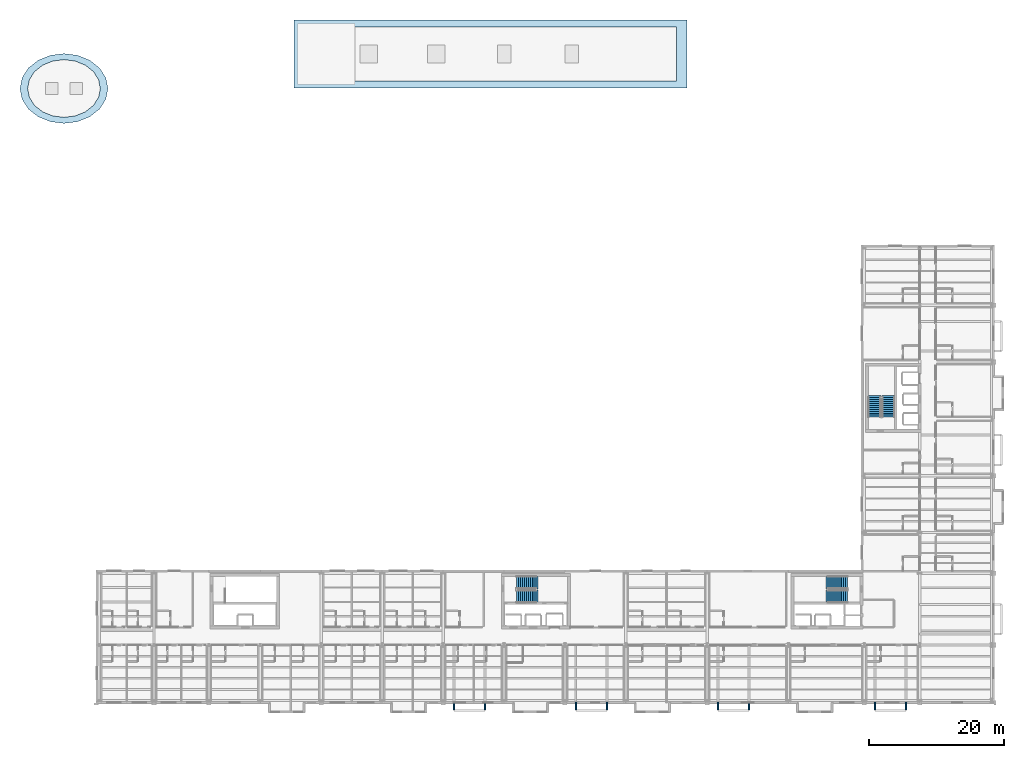
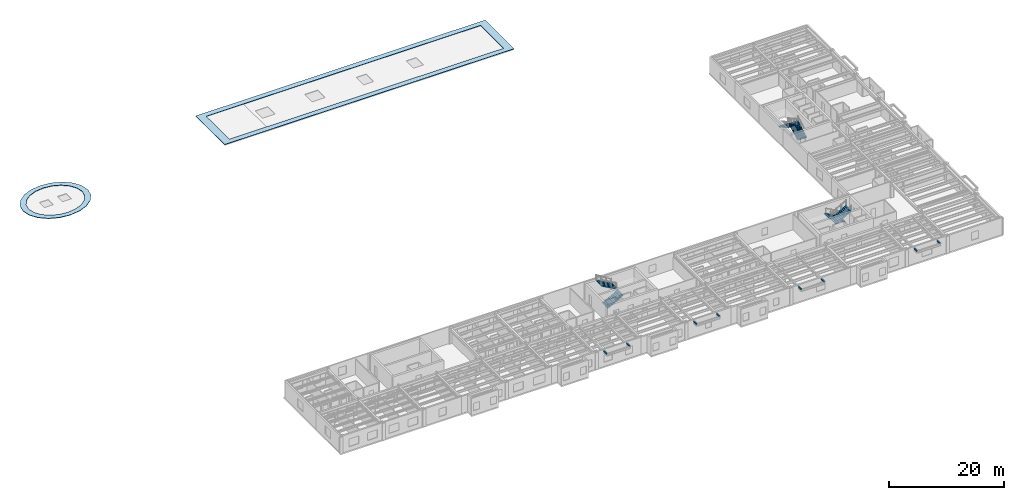
# One storey, part 23 of 27: 8 discrete accessories, 6 stair flights, 2 roofs, 3 elements without a shape of their own.
"""IFC4 building model written with IfcOpenShell, lengths in metres."""

from ifc_helpers import new_model, si_unit, direction, frame, origin, origin_2d, place, context, subcontext, project, spatial, polyline, rectangle, outline, extrude, material, layer, layer_set, type_object, element, aggregate, save


model = new_model("IFC4")

# Units and contexts
model_context = context("Model", 3, precision=1e-05, world=origin(), true_north=direction((0.0, 1.0)))
body_context = subcontext(model_context, "Body", "Model", "MODEL_VIEW")
ifc_project = project(units=[si_unit("LENGTHUNIT", "METRE"), si_unit("AREAUNIT", "SQUARE_METRE"), si_unit("VOLUMEUNIT", "CUBIC_METRE"), si_unit("PLANEANGLEUNIT", "RADIAN"), si_unit("MASSUNIT", "GRAM", prefix="KILO")], contexts=[model_context])

# Site, building, storey
site_placement = place(None, origin())
site = spatial("IfcSite", under=ifc_project, at=site_placement, CompositionType="ELEMENT")
building_placement = place(site_placement, origin())
building = spatial("IfcBuilding", under=site, at=building_placement, Name="Sollismere Congress Hotel", CompositionType="ELEMENT")
storey_placement = place(building_placement, frame((0.0, 0.0, 27.0)))
storey = spatial("IfcBuildingStorey", under=building, at=storey_placement, Name="L06", CompositionType="ELEMENT", Elevation=27.0)

# Stair, stair flights
ifc_material_1 = material(Name="Concrete C40/50", Category="concrete")
stair_type = type_object("IfcStairType", Name="STR-DL-360", PredefinedType="HALF_TURN_STAIR", material=ifc_material_1)
stair_1_placement = place(storey_placement, origin())
stair_1 = element("IfcStair", 1, at=stair_1_placement, inside=storey, type_object=stair_type, Name="Protected exit stair ST-01-L06", PredefinedType="HALF_TURN_STAIR")
stair_flight_type = type_object("IfcStairFlightType", Name="STF-DL-360", PredefinedType="STRAIGHT", material=ifc_material_1)
stair_flight_1_placement = place(storey_placement, frame((144.75, 17.425048828125, 0.0), z_axis=(0.0, 0.0, 1.0), x_axis=(-1.0, 0.0, 0.0)))
stair_flight_1 = element("IfcStairFlight", 2, at=stair_flight_1_placement, type_object=stair_flight_type, Name="Exit stair flight ST-01-L06-F1", NumberOfRisers=11, NumberOfTreads=11, PredefinedType="STRAIGHT", RiserHeight=0.16357421875, TreadLength=0.2900390625, context=body_context, shape_type="SweptSolid", body=[
    extrude(outline(polyline([(0.0, 0.0), (0.0, 0.16357421875), (0.2900390625, 0.16357421875), (0.2900390625, 0.3271484375), (0.580078125, 0.3271484375), (0.580078125, 0.49072265625), (0.8701171875, 0.49072265625), (0.8701171875, 0.654296875), (1.16015625, 0.654296875), (1.16015625, 0.81787109375), (1.4501953125, 0.81787109375), (1.4501953125, 0.9814453125), (1.740234375, 0.9814453125), (1.740234375, 1.14501953125), (2.0302734375, 1.14501953125), (2.0302734375, 1.30859375), (2.3203125, 1.30859375), (2.3203125, 1.47216796875), (2.6103515625, 1.47216796875), (2.6103515625, 1.6357421875), (2.900390625, 1.6357421875), (2.900390625, 1.79931640625), (3.1904296875, 1.79931640625), (3.1904296875, 1.61572265625), (0.325439453125, 0.0), (0.0, 0.0)])), frame((0.0, 0.925048828125, 0.0), z_axis=(0.0, -1.0, 0.0), x_axis=(1.0, 0.0, 0.0)), (0.0, 0.0, 1.0), 1.85009765625),
])
stair_flight_2_placement = place(storey_placement, frame((141.56005859375, 15.375, 1.800048828125), z_axis=(0.0, 0.0, 1.0), x_axis=(1.0, 0.0, 0.0)))
stair_flight_2 = element("IfcStairFlight", 3, at=stair_flight_2_placement, type_object=stair_flight_type, Name="Exit stair flight ST-01-L06-F2", NumberOfRisers=11, NumberOfTreads=11, PredefinedType="STRAIGHT", RiserHeight=0.16357421875, TreadLength=0.2900390625, context=body_context, shape_type="SweptSolid", body=[
    extrude(outline(polyline([(0.0, 0.0), (0.0, 0.16357421875), (0.2900390625, 0.16357421875), (0.2900390625, 0.3271484375), (0.580078125, 0.3271484375), (0.580078125, 0.49072265625), (0.8701171875, 0.49072265625), (0.8701171875, 0.654296875), (1.16015625, 0.654296875), (1.16015625, 0.81787109375), (1.4501953125, 0.81787109375), (1.4501953125, 0.9814453125), (1.740234375, 0.9814453125), (1.740234375, 1.14501953125), (2.0302734375, 1.14501953125), (2.0302734375, 1.30859375), (2.3203125, 1.30859375), (2.3203125, 1.47216796875), (2.6103515625, 1.47216796875), (2.6103515625, 1.6357421875), (2.900390625, 1.6357421875), (2.900390625, 1.79931640625), (3.1904296875, 1.79931640625), (3.1904296875, 1.61572265625), (0.325439453125, 0.0), (0.0, 0.0)])), frame((0.0, 0.925048828125, 0.0), z_axis=(0.0, -1.0, 0.0), x_axis=(1.0, 0.0, 0.0)), (0.0, 0.0, 1.0), 1.85009765625),
])
aggregate(stair_1, [stair_flight_1, stair_flight_2])

stair_2_placement = place(storey_placement, origin())
stair_2 = element("IfcStair", 4, at=stair_2_placement, inside=storey, type_object=stair_type, Name="Protected exit stair ST-02-L06", PredefinedType="HALF_TURN_STAIR")
stair_flight_3_placement = place(storey_placement, frame((95.85009765625, 15.375, 0.0), z_axis=(0.0, 0.0, 1.0), x_axis=(1.0, 0.0, 0.0)))
stair_flight_3 = element("IfcStairFlight", 5, at=stair_flight_3_placement, type_object=stair_flight_type, Name="Exit stair flight ST-02-L06-F1", NumberOfRisers=11, NumberOfTreads=11, PredefinedType="STRAIGHT", RiserHeight=0.16357421875, TreadLength=0.2900390625, context=body_context, shape_type="SweptSolid", body=[
    extrude(outline(polyline([(0.0, 0.0), (0.0, 0.16357421875), (0.2900390625, 0.16357421875), (0.2900390625, 0.3271484375), (0.580078125, 0.3271484375), (0.580078125, 0.49072265625), (0.8701171875, 0.49072265625), (0.8701171875, 0.654296875), (1.16015625, 0.654296875), (1.16015625, 0.81787109375), (1.4501953125, 0.81787109375), (1.4501953125, 0.9814453125), (1.740234375, 0.9814453125), (1.740234375, 1.14501953125), (2.0302734375, 1.14501953125), (2.0302734375, 1.30859375), (2.3203125, 1.30859375), (2.3203125, 1.47216796875), (2.6103515625, 1.47216796875), (2.6103515625, 1.6357421875), (2.900390625, 1.6357421875), (2.900390625, 1.79931640625), (3.1904296875, 1.79931640625), (3.1904296875, 1.61572265625), (0.325439453125, 0.0), (0.0, 0.0)])), frame((0.0, 0.925048828125, 0.0), z_axis=(0.0, -1.0, 0.0), x_axis=(1.0, 0.0, 0.0)), (0.0, 0.0, 1.0), 1.85009765625),
])
stair_flight_4_placement = place(storey_placement, frame((99.0400390625, 17.425048828125, 1.800048828125), z_axis=(0.0, 0.0, 1.0), x_axis=(-1.0, 0.0, 0.0)))
stair_flight_4 = element("IfcStairFlight", 6, at=stair_flight_4_placement, type_object=stair_flight_type, Name="Exit stair flight ST-02-L06-F2", NumberOfRisers=11, NumberOfTreads=11, PredefinedType="STRAIGHT", RiserHeight=0.16357421875, TreadLength=0.2900390625, context=body_context, shape_type="SweptSolid", body=[
    extrude(outline(polyline([(0.0, 0.0), (0.0, 0.16357421875), (0.2900390625, 0.16357421875), (0.2900390625, 0.3271484375), (0.580078125, 0.3271484375), (0.580078125, 0.49072265625), (0.8701171875, 0.49072265625), (0.8701171875, 0.654296875), (1.16015625, 0.654296875), (1.16015625, 0.81787109375), (1.4501953125, 0.81787109375), (1.4501953125, 0.9814453125), (1.740234375, 0.9814453125), (1.740234375, 1.14501953125), (2.0302734375, 1.14501953125), (2.0302734375, 1.30859375), (2.3203125, 1.30859375), (2.3203125, 1.47216796875), (2.6103515625, 1.47216796875), (2.6103515625, 1.6357421875), (2.900390625, 1.6357421875), (2.900390625, 1.79931640625), (3.1904296875, 1.79931640625), (3.1904296875, 1.61572265625), (0.325439453125, 0.0), (0.0, 0.0)])), frame((0.0, 0.925048828125, 0.0), z_axis=(0.0, -1.0, 0.0), x_axis=(1.0, 0.0, 0.0)), (0.0, 0.0, 1.0), 1.85009765625),
])
aggregate(stair_2, [stair_flight_3, stair_flight_4])

stair_3_placement = place(storey_placement, origin())
stair_3 = element("IfcStair", 7, at=stair_3_placement, inside=storey, type_object=stair_type, Name="Protected exit stair ST-03-L06", PredefinedType="HALF_TURN_STAIR")
stair_flight_5_placement = place(storey_placement, frame((150.77490234375, 41.85009765625, 0.0), z_axis=(0.0, 0.0, 1.0), x_axis=(0.0, 1.0, 0.0)))
stair_flight_5 = element("IfcStairFlight", 8, at=stair_flight_5_placement, type_object=stair_flight_type, Name="Exit stair flight ST-03-L06-F1", NumberOfRisers=11, NumberOfTreads=11, PredefinedType="STRAIGHT", RiserHeight=0.16357421875, TreadLength=0.2900390625, context=body_context, shape_type="SweptSolid", body=[
    extrude(outline(polyline([(0.0, 0.0), (0.0, 0.16357421875), (0.2900390625, 0.16357421875), (0.2900390625, 0.3271484375), (0.580078125, 0.3271484375), (0.580078125, 0.49072265625), (0.8701171875, 0.49072265625), (0.8701171875, 0.654296875), (1.16015625, 0.654296875), (1.16015625, 0.81787109375), (1.4501953125, 0.81787109375), (1.4501953125, 0.9814453125), (1.740234375, 0.9814453125), (1.740234375, 1.14501953125), (2.0302734375, 1.14501953125), (2.0302734375, 1.30859375), (2.3203125, 1.30859375), (2.3203125, 1.47216796875), (2.6103515625, 1.47216796875), (2.6103515625, 1.6357421875), (2.900390625, 1.6357421875), (2.900390625, 1.79931640625), (3.1904296875, 1.79931640625), (3.1904296875, 1.61572265625), (0.325439453125, 0.0), (0.0, 0.0)])), frame((0.0, 0.925048828125, 0.0), z_axis=(0.0, -1.0, 0.0), x_axis=(1.0, 0.0, 0.0)), (0.0, 0.0, 1.0), 1.85009765625),
])
stair_flight_6_placement = place(storey_placement, frame((148.72509765625, 45.0400390625, 1.800048828125), z_axis=(0.0, 0.0, 1.0), x_axis=(0.0, -1.0, 0.0)))
stair_flight_6 = element("IfcStairFlight", 9, at=stair_flight_6_placement, type_object=stair_flight_type, Name="Exit stair flight ST-03-L06-F2", NumberOfRisers=11, NumberOfTreads=11, PredefinedType="STRAIGHT", RiserHeight=0.16357421875, TreadLength=0.2900390625, context=body_context, shape_type="SweptSolid", body=[
    extrude(outline(polyline([(0.0, 0.0), (0.0, 0.16357421875), (0.2900390625, 0.16357421875), (0.2900390625, 0.3271484375), (0.580078125, 0.3271484375), (0.580078125, 0.49072265625), (0.8701171875, 0.49072265625), (0.8701171875, 0.654296875), (1.16015625, 0.654296875), (1.16015625, 0.81787109375), (1.4501953125, 0.81787109375), (1.4501953125, 0.9814453125), (1.740234375, 0.9814453125), (1.740234375, 1.14501953125), (2.0302734375, 1.14501953125), (2.0302734375, 1.30859375), (2.3203125, 1.30859375), (2.3203125, 1.47216796875), (2.6103515625, 1.47216796875), (2.6103515625, 1.6357421875), (2.900390625, 1.6357421875), (2.900390625, 1.79931640625), (3.1904296875, 1.79931640625), (3.1904296875, 1.61572265625), (0.325439453125, 0.0), (0.0, 0.0)])), frame((0.0, 0.925048828125, 0.0), z_axis=(0.0, -1.0, 0.0), x_axis=(1.0, 0.0, 0.0)), (0.0, 0.0, 1.0), 1.85009765625),
])
aggregate(stair_3, [stair_flight_5, stair_flight_6])

# Roofs
ifc_material_2 = material(Name="Standing-Seam Zinc-Titanium Roofing")
ifc_layer_1 = layer(ifc_material_2, 0.080078125, Name="Standing-Seam Zinc-Titanium Roofing")
ifc_layer_set_1 = layer_set([ifc_layer_1], Name="Standing-Seam Zinc-Titanium Roofing")
roof_type_1 = type_object("IfcRoofType", Name="RF-DOME", PredefinedType="DOME_ROOF", material=ifc_layer_set_1)
roof_1_placement = place(storey_placement, frame((0.0, 0.0, 0.199951171875)))
element("IfcRoof", 10, at=roof_1_placement, inside=storey, type_object=roof_type_1, Name="Congress Hall Elliptical Ribbed Dome Roof", PredefinedType="DOME_ROOF", context=body_context, shape_type="SweptSolid", body=[
    extrude(outline(polyline([(35.49609375, 90.39990234375), (35.177978515625, 91.9921875), (34.25537109375, 93.42822265625), (32.818115234375, 94.568115234375), (31.00732421875, 95.2998046875), (29.0, 95.552001953125), (26.99267578125, 95.2998046875), (25.181884765625, 94.568115234375), (23.74462890625, 93.42822265625), (22.822021484375, 91.9921875), (22.50390625, 90.39990234375), (22.822021484375, 88.807861328125), (23.74462890625, 87.37158203125), (25.181884765625, 86.23193359375), (26.99267578125, 85.500244140625), (29.0, 85.248046875), (31.00732421875, 85.500244140625), (32.818115234375, 86.23193359375), (34.25537109375, 87.37158203125), (35.177978515625, 88.807861328125), (35.49609375, 90.39990234375)]), holes=[polyline([(34.1025390625, 89.085205078125), (33.34033203125, 87.89892578125), (32.153564453125, 86.95751953125), (30.657958984375, 86.353271484375), (29.0, 86.14501953125), (27.342041015625, 86.353271484375), (25.846435546875, 86.95751953125), (24.65966796875, 87.89892578125), (23.8974609375, 89.085205078125), (23.635009765625, 90.39990234375), (23.8974609375, 91.71484375), (24.65966796875, 92.901123046875), (25.846435546875, 93.84228515625), (27.342041015625, 94.44677734375), (29.0, 94.655029296875), (30.657958984375, 94.44677734375), (32.153564453125, 93.84228515625), (33.34033203125, 92.901123046875), (34.1025390625, 91.71484375), (34.364990234375, 90.39990234375), (34.1025390625, 89.085205078125)])]), origin(), (0.0, 0.0, 1.0), 0.090087890625),
])
ifc_layer_2 = layer(ifc_material_2, 0.090087890625, Name="Standing-Seam Zinc-Titanium Roofing")
ifc_layer_set_2 = layer_set([ifc_layer_2], Name="Standing-Seam Zinc-Titanium Roofing")
roof_type_2 = type_object("IfcRoofType", Name="RF-PAV", PredefinedType="PAVILION_ROOF", material=ifc_layer_set_2)
roof_2_placement = place(storey_placement, frame((0.0, 0.0, 0.0400390625)))
element("IfcRoof", 11, at=roof_2_placement, inside=storey, type_object=roof_type_2, Name="Faceted Meeting Wing Hipped Roof", PredefinedType="PAVILION_ROOF", context=body_context, shape_type="SweptSolid", body=[
    extrude(outline(polyline([(62.97998046875, 90.47998046875), (121.02001953125, 90.47998046875), (121.02001953125, 100.52001953125), (62.97998046875, 100.52001953125), (62.97998046875, 90.47998046875)]), holes=[polyline([(64.5, 99.5), (119.5, 99.5), (119.5, 91.5), (64.5, 91.5), (64.5, 99.5)])]), origin(), (0.0, 0.0, 1.0), 0.08984375),
])

# Discrete accessories
ifc_material_3 = material(Name="Steel ASTM A572 Grade 50", Category="steel")
discrete_accessory_type = type_object("IfcDiscreteAccessoryType", Name="BRK-STL", PredefinedType="BRACKET", material=ifc_material_3)
for number, where, z_axis, x_axis, name in (
    (12, (86.60009765625, -0.800048828125, 3.06494140625), (0.0, 0.0, 1.0), (1.0, 0.0, 0.0), "BRK-CK-041"),
    (13, (91.199951171875, -0.800048828125, 3.06494140625), (0.0, 0.0, 1.0), (1.0, 0.0, 0.0), "BRK-CK-042"),
    (14, (104.60009765625, -0.800048828125, 3.06494140625), (0.0, 0.0, 1.0), (1.0, 0.0, 0.0), "BRK-CK-043"),
    (15, (109.199951171875, -0.800048828125, 3.06494140625), (0.0, 0.0, 1.0), (1.0, 0.0, 0.0), "BRK-CK-044"),
    (16, (125.60009765625, -0.800048828125, 3.06494140625), (0.0, 0.0, 1.0), (1.0, 0.0, 0.0), "BRK-CK-045"),
    (17, (130.199951171875, -0.800048828125, 3.06494140625), (0.0, 0.0, 1.0), (1.0, 0.0, 0.0), "BRK-CK-046"),
    (18, (148.800048828125, -0.800048828125, 3.06494140625), (0.0, 0.0, 1.0), (1.0, 0.0, 0.0), "BRK-CK-047"),
    (19, (153.39990234375, -0.800048828125, 3.06494140625), (0.0, 0.0, 1.0), (1.0, 0.0, 0.0), "BRK-CK-048"),
):
    element("IfcDiscreteAccessory", number, at=place(storey_placement, frame(where, z_axis=z_axis, x_axis=x_axis)), inside=storey, type_object=discrete_accessory_type, Name=name, PredefinedType="BRACKET", context=body_context, shape_type="SweptSolid", body=[
        extrude(rectangle(XDim=0.219970703125, YDim=1.14990234375, at=origin_2d()), origin(), (0.0, 0.0, 1.0), 0.260009765625),
    ])

save(model, "model.ifc")
